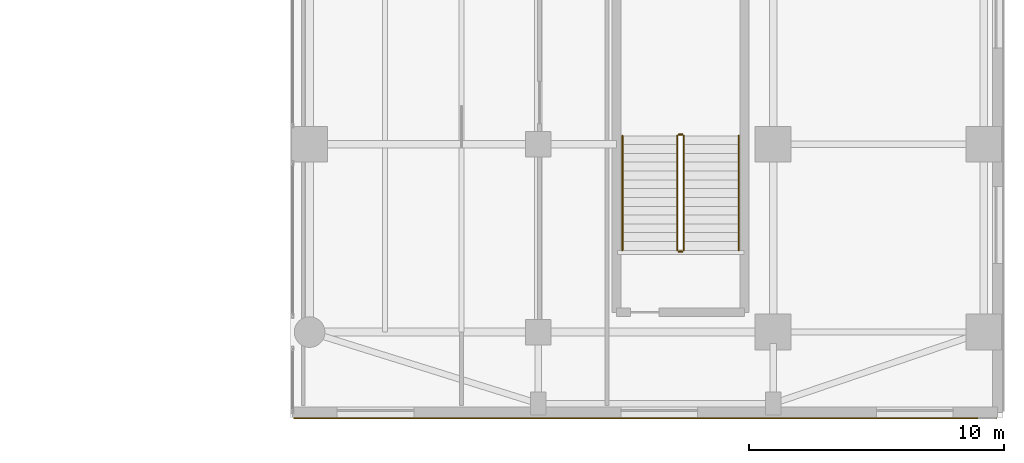
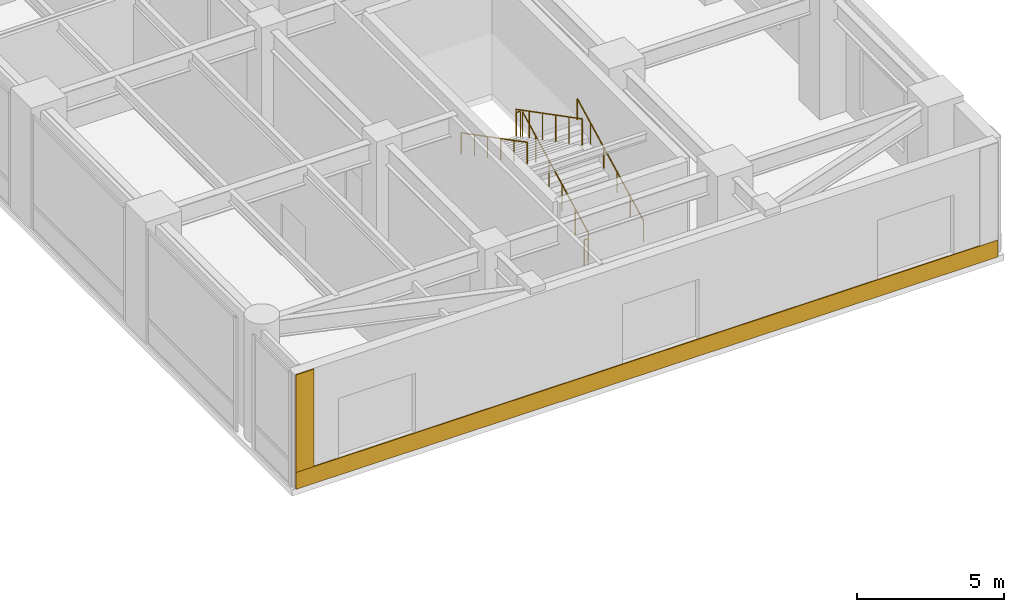
# One storey, part 18 of 24: 6 railings, 2 coverings.
"""IFC4 building model written with IfcOpenShell, lengths in metres."""

from ifc_helpers import new_model, si_unit, direction, frame, origin, origin_2d, place, context, subcontext, project, spatial, polyline, circle, outline, extrude, material, layer, layer_set, type_object, element, save


model = new_model("IFC4")

# Units and contexts
model_context = context("Model", 3, precision=1e-05, world=origin(), true_north=direction((0.0, 1.0)))
body_context = subcontext(model_context, "Body", "Model", "MODEL_VIEW")
ifc_project = project(units=[si_unit("LENGTHUNIT", "METRE"), si_unit("AREAUNIT", "SQUARE_METRE"), si_unit("VOLUMEUNIT", "CUBIC_METRE"), si_unit("PLANEANGLEUNIT", "RADIAN"), si_unit("MASSUNIT", "GRAM", prefix="KILO")], contexts=[model_context])

# Site, building, storey
site_placement = place(None, origin())
site = spatial("IfcSite", under=ifc_project, at=site_placement, CompositionType="ELEMENT")
building_placement = place(site_placement, origin())
building = spatial("IfcBuilding", under=site, at=building_placement, Name="Tolvann Quenvar Hotel", CompositionType="ELEMENT")
storey_placement = place(building_placement, frame((0.0, 0.0, 6.0)))
storey = spatial("IfcBuildingStorey", under=building, at=storey_placement, Name="L01", CompositionType="ELEMENT", Elevation=6.0)

# Coverings
ifc_material_1 = material(Name="Kiln-fired red architectural face brick cladding", Category="masonry")
ifc_layer_1 = layer(ifc_material_1, 0.0400390625)
ifc_layer_set_1 = layer_set([ifc_layer_1], Name="Kiln-fired red architectural face brick cladding")
covering_type_1 = type_object("IfcCoveringType", Name="COV_CLAD_BRICK_40", PredefinedType="CLADDING", material=ifc_layer_set_1)
covering_1_placement = place(storey_placement, frame((0.0, 0.0, 0.699951171875)))
element("IfcCovering", 1, at=covering_1_placement, inside=storey, type_object=covering_type_1, Name="Brick Pier Cladding (L01-E04-P1)", PredefinedType="CLADDING", context=body_context, shape_type="SweptSolid", body=[
    extrude(outline(polyline([(37.639892578125, -2.5), (38.340087890625, -2.5), (38.340087890625, -2.5400390625), (37.639892578125, -2.5400390625), (37.639892578125, -2.5)])), origin(), (0.0, 0.0, 1.0), 4.0400390625),
])
ifc_material_2 = material(Name="Moulded buff architectural terracotta spandrel cladding", Category="masonry")
ifc_layer_2 = layer(ifc_material_2, 0.0400390625)
ifc_layer_set_2 = layer_set([ifc_layer_2], Name="Moulded buff architectural terracotta spandrel cladding")
covering_type_2 = type_object("IfcCoveringType", Name="COV_CLAD_TERRA_40", PredefinedType="CLADDING", material=ifc_layer_set_2)
covering_2_placement = place(storey_placement, origin())
element("IfcCovering", 2, at=covering_2_placement, inside=storey, type_object=covering_type_2, Name="Terracotta Spandrel Cladding (L01-E04)", PredefinedType="CLADDING", context=body_context, shape_type="SweptSolid", body=[
    extrude(outline(polyline([(37.6298828125, -2.5), (65.14990234375, -2.5), (65.14990234375, -2.5400390625), (37.6298828125, -2.5400390625), (37.6298828125, -2.5)])), origin(), (0.0, 0.0, 1.0), 0.699951171875),
])

# Railings
ifc_material_3 = material(Name="Brushed 316 stainless steel balustrade and handrail", Category="steel")
railing_type_1 = type_object("IfcRailingType", Name="GUARDRAIL", PredefinedType="GUARDRAIL", material=ifc_material_3)
railing_1_placement = place(storey_placement, frame((52.89990234375, 4.050048828125, 0.178466796875)))
element("IfcRailing", 3, at=railing_1_placement, inside=storey, type_object=railing_type_1, Name="L01 ST-P3 stair guard 1", PredefinedType="GUARDRAIL", context=body_context, shape_type="SweptSolid", body=[
    extrude(circle(Radius=0.02392578125, at=origin_2d()), frame((0.0, 0.0, 1.09619140625), z_axis=(0.0, 0.888074065228, 0.459700396639), x_axis=(-1.0, 0.0, 0.0)), (0.0, 0.0, 1.0), 5.050048828125),
    extrude(circle(Radius=0.02099609375, at=origin_2d()), origin(), (0.0, 0.0, 1.0), 1.072021484375),
    extrude(circle(Radius=0.02099609375, at=origin_2d()), frame((0.0, 0.89697265625, 0.46435546875)), (0.0, 0.0, 1.0), 1.072021484375),
    extrude(circle(Radius=0.02099609375, at=origin_2d()), frame((0.0, 1.7939453125, 0.9287109375)), (0.0, 0.0, 1.0), 1.072021484375),
    extrude(circle(Radius=0.02099609375, at=origin_2d()), frame((0.0, 2.69091796875, 1.392822265625)), (0.0, 0.0, 1.0), 1.072021484375),
    extrude(circle(Radius=0.02099609375, at=origin_2d()), frame((0.0, 3.587890625, 1.857177734375)), (0.0, 0.0, 1.0), 1.072021484375),
    extrude(circle(Radius=0.02099609375, at=origin_2d()), frame((0.0, 4.48486328125, 2.321533203125)), (0.0, 0.0, 1.0), 1.072021484375),
])
railing_2_placement = place(storey_placement, frame((52.85009765625, 8.5849609375, 2.5)))
element("IfcRailing", 4, at=railing_2_placement, inside=storey, type_object=railing_type_1, Name="L01 ST-P3 stair guard 2", PredefinedType="GUARDRAIL", context=body_context, shape_type="SweptSolid", body=[
    extrude(circle(Radius=0.02392578125, at=origin_2d()), frame((0.0, 0.0, 1.09619140625), z_axis=(-1.0, 0.0, 0.0), x_axis=(0.0, -1.0, 0.0)), (0.0, 0.0, 1.0), 0.150146484375),
    extrude(circle(Radius=0.02099609375, at=origin_2d()), origin(), (0.0, 0.0, 1.0), 1.072021484375),
    extrude(circle(Radius=0.02099609375, at=origin_2d()), frame((-0.150146484375, 0.0, 0.0)), (0.0, 0.0, 1.0), 1.072021484375),
])
railing_3_placement = place(storey_placement, frame((52.64990234375, 8.534912109375, 2.678466796875)))
element("IfcRailing", 5, at=railing_3_placement, inside=storey, type_object=railing_type_1, Name="L01 ST-P3 stair guard 3", PredefinedType="GUARDRAIL", context=body_context, shape_type="SweptSolid", body=[
    extrude(circle(Radius=0.02392578125, at=origin_2d()), frame((0.0, 0.0, 1.09619140625), z_axis=(0.0, -0.888074065228, 0.459700396639), x_axis=(1.0, 0.0, 0.0)), (0.0, 0.0, 1.0), 5.050048828125),
    extrude(circle(Radius=0.02099609375, at=origin_2d()), origin(), (0.0, 0.0, 1.0), 1.072021484375),
    extrude(circle(Radius=0.02099609375, at=origin_2d()), frame((0.0, -0.89697265625, 0.46435546875)), (0.0, 0.0, 1.0), 1.072021484375),
    extrude(circle(Radius=0.02099609375, at=origin_2d()), frame((0.0, -1.7939453125, 0.9287109375)), (0.0, 0.0, 1.0), 1.072021484375),
    extrude(circle(Radius=0.02099609375, at=origin_2d()), frame((0.0, -2.69091796875, 1.392822265625)), (0.0, 0.0, 1.0), 1.072021484375),
    extrude(circle(Radius=0.02099609375, at=origin_2d()), frame((0.0, -3.587890625, 1.857177734375)), (0.0, 0.0, 1.0), 1.072021484375),
    extrude(circle(Radius=0.02099609375, at=origin_2d()), frame((0.0, -4.48486328125, 2.321533203125)), (0.0, 0.0, 1.0), 1.072021484375),
])
railing_4_placement = place(storey_placement, frame((52.85009765625, 4.0, 0.0)))
element("IfcRailing", 6, at=railing_4_placement, inside=storey, type_object=railing_type_1, Name="L01 ST-P3 stair guard 4", PredefinedType="GUARDRAIL", context=body_context, shape_type="SweptSolid", body=[
    extrude(circle(Radius=0.02392578125, at=origin_2d()), frame((0.0, 0.0, 1.09619140625), z_axis=(-1.0, 0.0, 0.0), x_axis=(0.0, -1.0, 0.0)), (0.0, 0.0, 1.0), 0.150146484375),
    extrude(circle(Radius=0.02099609375, at=origin_2d()), origin(), (0.0, 0.0, 1.0), 1.072021484375),
    extrude(circle(Radius=0.02099609375, at=origin_2d()), frame((-0.150146484375, 0.0, 0.0)), (0.0, 0.0, 1.0), 1.072021484375),
])
railing_type_2 = type_object("IfcRailingType", Name="HANDRAIL", PredefinedType="HANDRAIL", material=ifc_material_3)
railing_5_placement = place(storey_placement, frame((55.050048828125, 4.050048828125, 0.178466796875)))
element("IfcRailing", 7, at=railing_5_placement, inside=storey, type_object=railing_type_2, Name="L01 ST-P3 stair handrail 1", PredefinedType="HANDRAIL", context=body_context, shape_type="SweptSolid", body=[
    extrude(circle(Radius=0.02392578125, at=origin_2d()), frame((0.0, 0.0, 0.8759765625), z_axis=(0.0, 0.888074065228, 0.459700396639), x_axis=(-1.0, 0.0, 0.0)), (0.0, 0.0, 1.0), 5.050048828125),
    extrude(circle(Radius=0.02099609375, at=origin_2d()), origin(), (0.0, 0.0, 1.0), 0.851806640625),
    extrude(circle(Radius=0.02099609375, at=origin_2d()), frame((0.0, 0.89697265625, 0.46435546875)), (0.0, 0.0, 1.0), 0.851806640625),
    extrude(circle(Radius=0.02099609375, at=origin_2d()), frame((0.0, 1.7939453125, 0.9287109375)), (0.0, 0.0, 1.0), 0.851806640625),
    extrude(circle(Radius=0.02099609375, at=origin_2d()), frame((0.0, 2.69091796875, 1.392822265625)), (0.0, 0.0, 1.0), 0.851806640625),
    extrude(circle(Radius=0.02099609375, at=origin_2d()), frame((0.0, 3.587890625, 1.857177734375)), (0.0, 0.0, 1.0), 0.851806640625),
    extrude(circle(Radius=0.02099609375, at=origin_2d()), frame((0.0, 4.48486328125, 2.321533203125)), (0.0, 0.0, 1.0), 0.851806640625),
])
railing_6_placement = place(storey_placement, frame((50.5, 8.534912109375, 2.678466796875)))
element("IfcRailing", 8, at=railing_6_placement, inside=storey, type_object=railing_type_2, Name="L01 ST-P3 stair handrail 2", PredefinedType="HANDRAIL", context=body_context, shape_type="SweptSolid", body=[
    extrude(circle(Radius=0.02392578125, at=origin_2d()), frame((0.0, 0.0, 0.8759765625), z_axis=(0.0, -0.888074065228, 0.459700396639), x_axis=(1.0, 0.0, 0.0)), (0.0, 0.0, 1.0), 5.050048828125),
    extrude(circle(Radius=0.02099609375, at=origin_2d()), origin(), (0.0, 0.0, 1.0), 0.851806640625),
    extrude(circle(Radius=0.02099609375, at=origin_2d()), frame((0.0, -0.89697265625, 0.46435546875)), (0.0, 0.0, 1.0), 0.851806640625),
    extrude(circle(Radius=0.02099609375, at=origin_2d()), frame((0.0, -1.7939453125, 0.9287109375)), (0.0, 0.0, 1.0), 0.851806640625),
    extrude(circle(Radius=0.02099609375, at=origin_2d()), frame((0.0, -2.69091796875, 1.392822265625)), (0.0, 0.0, 1.0), 0.851806640625),
    extrude(circle(Radius=0.02099609375, at=origin_2d()), frame((0.0, -3.587890625, 1.857177734375)), (0.0, 0.0, 1.0), 0.851806640625),
    extrude(circle(Radius=0.02099609375, at=origin_2d()), frame((0.0, -4.48486328125, 2.321533203125)), (0.0, 0.0, 1.0), 0.851806640625),
])

save(model, "model.ifc")
